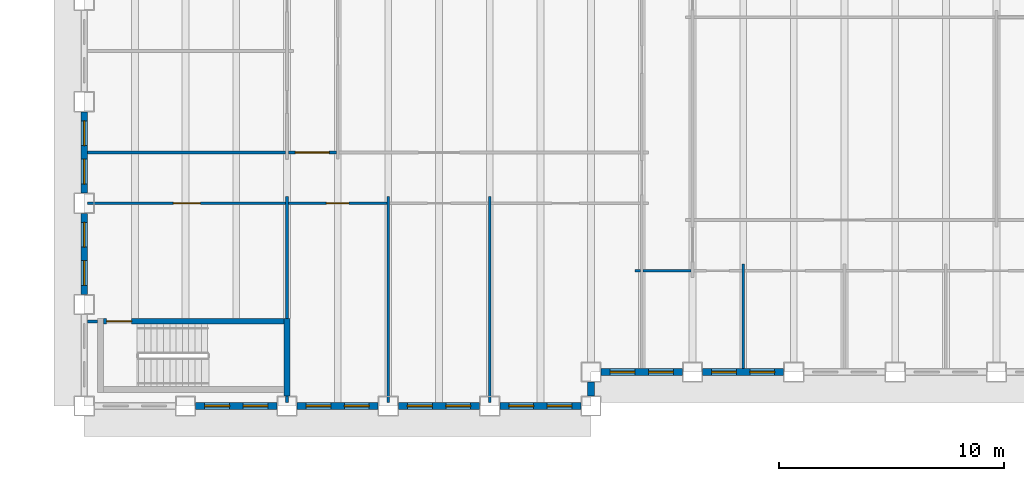
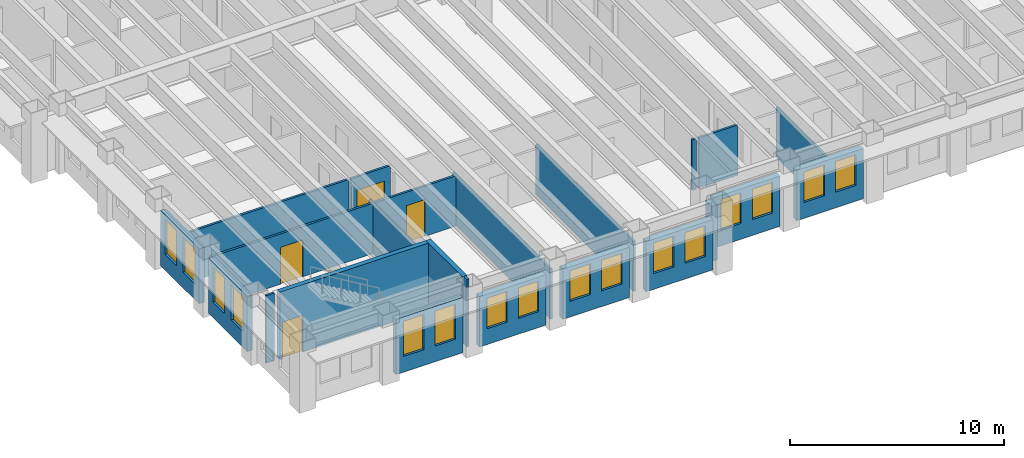
# One storey, part 3 of 16: 23 walls, 16 windows, 4 doors, 20 openings.
"""IFC4 building model written with IfcOpenShell, lengths in metres."""

from ifc_helpers import new_model, si_unit, direction, frame, frame_2d, origin, place, context, subcontext, project, spatial, rectangle, extrude, material, layer, layer_set, type_object, element, fill, save


model = new_model("IFC4")

# Units and contexts
model_context = context("Model", 3, precision=1e-05, world=origin(), true_north=direction((0.0, 1.0)))
body_context = subcontext(model_context, "Body", "Model", "MODEL_VIEW")
ifc_project = project(units=[si_unit("LENGTHUNIT", "METRE"), si_unit("AREAUNIT", "SQUARE_METRE"), si_unit("VOLUMEUNIT", "CUBIC_METRE"), si_unit("PLANEANGLEUNIT", "RADIAN"), si_unit("MASSUNIT", "GRAM", prefix="KILO")], contexts=[model_context])

# Site, building, storey
site_placement = place(None, origin())
site = spatial("IfcSite", under=ifc_project, at=site_placement, CompositionType="ELEMENT")
building_placement = place(site_placement, origin())
building = spatial("IfcBuilding", under=site, at=building_placement, Name="Sennacour Bend Tower", CompositionType="ELEMENT")
storey_placement = place(building_placement, frame((0.0, 0.0, 159.0)))
storey = spatial("IfcBuildingStorey", under=building, at=storey_placement, Name="L36", CompositionType="ELEMENT", Elevation=159.0)

# Walls
ifc_material_1 = material(Name="Plasterboard partition on steel studs", Category="steel")
ifc_layer_1 = layer(ifc_material_1, 0.1201171875, Name="Plasterboard partition on steel studs", Category="steel")
ifc_layer_set_1 = layer_set([ifc_layer_1], Name="Plasterboard partition on steel studs")
wall_type_1 = type_object("IfcWallType", Name="Partition 120", PredefinedType="PARTITIONING", material=ifc_layer_set_1)
wall_1_placement = place(storey_placement, frame((9.0, 0.14990234375, 0.0), z_axis=(0.0, 0.0, 1.0), x_axis=(0.0, 1.0, 0.0)))
element("IfcWall", 1, at=wall_1_placement, inside=storey, type_object=wall_type_1, Name="P-L36-W009a", PredefinedType="PARTITIONING", context=body_context, shape_type="SweptSolid", body=[
    extrude(rectangle(XDim=0.300048828125, YDim=0.1201171875, at=frame_2d((0.14990234375, 0.0))), origin(), (0.0, 0.0, 1.0), 3.85009765625),
])
wall_2_placement = place(storey_placement, frame((9.0, 3.875, 0.0), z_axis=(0.0, 0.0, 1.0), x_axis=(0.0, 1.0, 0.0)))
element("IfcWall", 2, at=wall_2_placement, inside=storey, type_object=wall_type_1, Name="P-L36-W011a", PredefinedType="PARTITIONING", context=body_context, shape_type="SweptSolid", body=[
    extrude(rectangle(XDim=5.425048828125, YDim=0.1201171875, at=frame_2d((2.71240234375, 0.0))), origin(), (0.0, 0.0, 1.0), 2.8701171875),
])
for number, where, z_axis, x_axis, name in (
    (3, (13.5, 0.14990234375, 0.0), (0.0, 0.0, 1.0), (0.0, 1.0, 0.0), "P-L36-W016a"),
    (4, (18.0, 0.14990234375, 0.0), (0.0, 0.0, 1.0), (0.0, 1.0, 0.0), "P-L36-W019a"),
):
    element("IfcWall", number, at=place(storey_placement, frame(where, z_axis=z_axis, x_axis=x_axis)), inside=storey, type_object=wall_type_1, Name=name, PredefinedType="PARTITIONING", context=body_context, shape_type="SweptSolid", body=[
        extrude(rectangle(XDim=9.150146484375, YDim=0.1201171875, at=frame_2d((4.5751953125, 0.0))), origin(), (0.0, 0.0, 1.0), 2.8701171875),
    ])
wall_3_placement = place(storey_placement, frame((29.25, 1.64990234375, 0.0), z_axis=(0.0, 0.0, 1.0), x_axis=(0.0, 1.0, 0.0)))
element("IfcWall", 5, at=wall_3_placement, inside=storey, type_object=wall_type_1, Name="P-L36-W026a", PredefinedType="PARTITIONING", context=body_context, shape_type="SweptSolid", body=[
    extrude(rectangle(XDim=4.650146484375, YDim=0.1201171875, at=frame_2d((2.3251953125, 0.0))), origin(), (0.0, 0.0, 1.0), 2.8701171875),
])
wall_4_placement = place(storey_placement, frame((0.14990234375, 3.75, 0.0), z_axis=(0.0, 0.0, 1.0), x_axis=(1.0, 0.0, 0.0)))
element("IfcWall", 6, at=wall_4_placement, inside=storey, type_object=wall_type_1, Name="P-L36-W054a", PredefinedType="PARTITIONING", context=body_context, shape_type="SweptSolid", body=[
    extrude(rectangle(XDim=0.4501953125, YDim=0.1201171875, at=frame_2d((0.22509765625, 0.0))), origin(), (0.0, 0.0, 1.0), 3.85009765625),
])
wall_5_placement = place(storey_placement, frame((24.449951171875, 6.0, 0.0), z_axis=(0.0, 0.0, 1.0), x_axis=(1.0, 0.0, 0.0)))
element("IfcWall", 7, at=wall_5_placement, inside=storey, type_object=wall_type_1, Name="P-L36-W058aa", PredefinedType="PARTITIONING", context=body_context, shape_type="SweptSolid", body=[
    extrude(rectangle(XDim=0.239990234375, YDim=0.1201171875, at=frame_2d((0.1201171875, 0.0))), origin(), (0.0, 0.0, 1.0), 2.8701171875),
])
wall_6_placement = place(storey_placement, frame((24.81005859375, 6.0, 0.0), z_axis=(0.0, 0.0, 1.0), x_axis=(1.0, 0.0, 0.0)))
element("IfcWall", 8, at=wall_6_placement, inside=storey, type_object=wall_type_1, Name="P-L36-W058ab", PredefinedType="PARTITIONING", context=body_context, shape_type="SweptSolid", body=[
    extrude(rectangle(XDim=2.1298828125, YDim=0.1201171875, at=frame_2d((1.06494140625, 0.0))), origin(), (0.0, 0.0, 1.0), 2.8701171875),
])

# Wall, opening, door
wall_7_placement = place(storey_placement, frame((9.06005859375, 9.0, 0.0), z_axis=(0.0, 0.0, 1.0), x_axis=(1.0, 0.0, 0.0)))
wall_7 = element("IfcWall", 9, at=wall_7_placement, inside=storey, type_object=wall_type_1, Name="P-L36-W061ab", PredefinedType="PARTITIONING", context=body_context, shape_type="SweptSolid", body=[
    extrude(rectangle(XDim=4.3798828125, YDim=0.1201171875, at=frame_2d((2.18994140625, 0.0))), origin(), (0.0, 0.0, 1.0), 2.8701171875),
])
opening_1_placement = place(wall_7_placement, frame((1.68994140625, 0.0, 0.0)))
opening_1 = element("IfcOpeningElement", 10, at=opening_1_placement, cuts=wall_7, Name="Opening OD2", PredefinedType="OPENING", context=body_context, shape_type="SweptSolid", body=[
    extrude(rectangle(XDim=1.0, YDim=2.10009765625, at=frame_2d((0.5, 1.050048828125))), frame((0.0, 0.070068359375, 0.0), z_axis=(0.0, -1.0, 0.0), x_axis=(1.0, 0.0, 0.0)), (0.0, 0.0, 1.0), 0.14013671875),
])
ifc_material_2 = material(Name="Timber", Category="wood")
door_type_1 = type_object("IfcDoorType", Name="DR-OFFICE-1000", OperationType="NOTDEFINED", PredefinedType="DOOR", material=ifc_material_2)
door_1_placement = place(opening_1_placement, origin())
door_1 = element("IfcDoor", 11, at=door_1_placement, inside=storey, type_object=door_type_1, Name="Door", OperationType="SINGLE_SWING_LEFT", OverallHeight=2.10009765625, OverallWidth=1.0, PredefinedType="DOOR", context=body_context, shape_type="SweptSolid", body=[
    extrude(rectangle(XDim=1.0, YDim=2.10009765625, at=frame_2d((0.5, 1.050048828125))), frame((0.0, 0.02490234375, 0.0), z_axis=(0.0, -1.0, 0.0), x_axis=(1.0, 0.0, 0.0)), (0.0, 0.0, 1.0), 0.050048828125),
])
fill(opening_1, door_1)

# Wall
wall_8_placement = place(storey_placement, frame((0.14990234375, 11.25, 0.0), z_axis=(0.0, 0.0, 1.0), x_axis=(1.0, 0.0, 0.0)))
element("IfcWall", 12, at=wall_8_placement, inside=storey, type_object=wall_type_1, Name="P-L36-W063aa", PredefinedType="PARTITIONING", context=body_context, shape_type="SweptSolid", body=[
    extrude(rectangle(XDim=8.7900390625, YDim=0.1201171875, at=frame_2d((4.39501953125, 0.0))), origin(), (0.0, 0.0, 1.0), 2.8701171875),
])

# Wall, opening, door
ifc_layer_2 = layer(ifc_material_1, 0.1201171875, Name="Plasterboard partition on steel studs", Category="steel")
ifc_layer_set_2 = layer_set([ifc_layer_2], Name="Plasterboard partition on steel studs")
wall_type_2 = type_object("IfcWallType", Name="Partition 120 EI 30", PredefinedType="PARTITIONING", material=ifc_layer_set_2)
wall_9_placement = place(storey_placement, frame((0.14990234375, 9.0, 0.0), z_axis=(0.0, 0.0, 1.0), x_axis=(1.0, 0.0, 0.0)))
wall_9 = element("IfcWall", 13, at=wall_9_placement, inside=storey, type_object=wall_type_2, Name="P-L36-W061aa", PredefinedType="PARTITIONING", context=body_context, shape_type="SweptSolid", body=[
    extrude(rectangle(XDim=8.7900390625, YDim=0.1201171875, at=frame_2d((4.39501953125, 0.0))), origin(), (0.0, 0.0, 1.0), 2.8701171875),
])
opening_2_placement = place(wall_9_placement, frame((3.80517578125, 0.0, 0.0)))
opening_2 = element("IfcOpeningElement", 14, at=opening_2_placement, cuts=wall_9, Name="Opening KD2", PredefinedType="OPENING", context=body_context, shape_type="SweptSolid", body=[
    extrude(rectangle(XDim=1.199951171875, YDim=2.10009765625, at=frame_2d((0.60009765625, 1.050048828125))), frame((0.0, 0.070068359375, 0.0), z_axis=(0.0, -1.0, 0.0), x_axis=(1.0, 0.0, 0.0)), (0.0, 0.0, 1.0), 0.14013671875),
])
ifc_material_3 = material(Name="Painted steel", Category="steel")
door_type_2 = type_object("IfcDoorType", Name="DR-CORRIDOR-1200", OperationType="NOTDEFINED", PredefinedType="DOOR", material=ifc_material_3)
door_2_placement = place(opening_2_placement, origin())
door_2 = element("IfcDoor", 15, at=door_2_placement, inside=storey, type_object=door_type_2, Name="Door", OperationType="SINGLE_SWING_LEFT", OverallHeight=2.10009765625, OverallWidth=1.199951171875, PredefinedType="DOOR", context=body_context, shape_type="SweptSolid", body=[
    extrude(rectangle(XDim=1.199951171875, YDim=2.10009765625, at=frame_2d((0.60009765625, 1.050048828125))), frame((0.0, 0.02490234375, 0.0), z_axis=(0.0, -1.0, 0.0), x_axis=(1.0, 0.0, 0.0)), (0.0, 0.0, 1.0), 0.050048828125),
])
fill(opening_2, door_2)

wall_10_placement = place(storey_placement, frame((9.06005859375, 11.25, 0.0), z_axis=(0.0, 0.0, 1.0), x_axis=(1.0, 0.0, 0.0)))
wall_10 = element("IfcWall", 16, at=wall_10_placement, inside=storey, type_object=wall_type_2, Name="P-L36-W063ab", PredefinedType="PARTITIONING", context=body_context, shape_type="SweptSolid", body=[
    extrude(rectangle(XDim=2.1298828125, YDim=0.1201171875, at=frame_2d((1.06494140625, 0.0))), origin(), (0.0, 0.0, 1.0), 2.8701171875),
])
opening_3_placement = place(wall_10_placement, frame((0.31494140625, 0.0, 0.0)))
opening_3 = element("IfcOpeningElement", 17, at=opening_3_placement, cuts=wall_10, Name="Opening KD", PredefinedType="OPENING", context=body_context, shape_type="SweptSolid", body=[
    extrude(rectangle(XDim=1.5, YDim=2.10009765625, at=frame_2d((0.75, 1.050048828125))), frame((0.0, 0.070068359375, 0.0), z_axis=(0.0, -1.0, 0.0), x_axis=(1.0, 0.0, 0.0)), (0.0, 0.0, 1.0), 0.14013671875),
])
door_type_3 = type_object("IfcDoorType", Name="DR-CORRIDOR-1500", OperationType="NOTDEFINED", PredefinedType="DOOR", material=ifc_material_3)
door_3_placement = place(opening_3_placement, origin())
door_3 = element("IfcDoor", 18, at=door_3_placement, inside=storey, type_object=door_type_3, Name="Door", OperationType="SINGLE_SWING_LEFT", OverallHeight=2.10009765625, OverallWidth=1.5, PredefinedType="DOOR", context=body_context, shape_type="SweptSolid", body=[
    extrude(rectangle(XDim=1.5, YDim=2.10009765625, at=frame_2d((0.75, 1.050048828125))), frame((0.0, 0.02490234375, 0.0), z_axis=(0.0, -1.0, 0.0), x_axis=(1.0, 0.0, 0.0)), (0.0, 0.0, 1.0), 0.050048828125),
])
fill(opening_3, door_3)

# Wall, openings, windows
ifc_material_4 = material(Name="Warm limestone cladding", Category="masonry")
ifc_layer_3 = layer(ifc_material_4, 0.050048828125, Name="Warm limestone cladding", Category="masonry")
ifc_material_5 = material(Name="Precast concrete C40/50", Category="concrete")
ifc_layer_4 = layer(ifc_material_5, 0.25, Name="Precast concrete C40/50", Category="concrete")
ifc_layer_set_3 = layer_set([ifc_layer_3, ifc_layer_4], Name="Precast concrete C40/50 with limestone cladding")
wall_type_3 = type_object("IfcWallType", Name="STONE-CLAD PRECAST SPANDREL 300", PredefinedType="STANDARD", material=ifc_layer_set_3)
wall_11_placement = place(storey_placement, frame((4.949951171875, 0.0, 0.0), z_axis=(0.0, 0.0, 1.0), x_axis=(1.0, 0.0, 0.0)))
wall_11 = element("IfcWall", 19, at=wall_11_placement, inside=storey, type_object=wall_type_3, Name="Stone spandrel and pier wall L36 00.01", PredefinedType="STANDARD", context=body_context, shape_type="SweptSolid", body=[
    extrude(rectangle(XDim=3.60009765625, YDim=0.300048828125, at=frame_2d((1.800048828125, 0.0))), origin(), (0.0, 0.0, 1.0), 3.14892578125),
])
opening_4_placement = place(wall_11_placement, frame((0.39990234375, 0.0, 0.89990234375)))
opening_4 = element("IfcOpeningElement", 20, at=opening_4_placement, cuts=wall_11, Name="Opening W19", PredefinedType="OPENING", context=body_context, shape_type="SweptSolid", body=[
    extrude(rectangle(XDim=1.10009765625, YDim=2.0, at=frame_2d((0.550048828125, 1.0))), frame((0.0, 0.16015625, 0.0), z_axis=(0.0, -1.0, 0.0), x_axis=(1.0, 0.0, 0.0)), (0.0, 0.0, 1.0), 0.320068359375),
])
opening_5_placement = place(wall_11_placement, frame((2.10009765625, 0.0, 0.89990234375)))
opening_5 = element("IfcOpeningElement", 21, at=opening_5_placement, cuts=wall_11, Name="Opening W19", PredefinedType="OPENING", context=body_context, shape_type="SweptSolid", body=[
    extrude(rectangle(XDim=1.10009765625, YDim=2.0, at=frame_2d((0.550048828125, 1.0))), frame((0.0, 0.16015625, 0.0), z_axis=(0.0, -1.0, 0.0), x_axis=(1.0, 0.0, 0.0)), (0.0, 0.0, 1.0), 0.320068359375),
])
ifc_material_6 = material(Name="Clear low-emissivity glass", Category="glass")
window_type_1 = type_object("IfcWindowType", Name="WIN-RIBBON-1100x2000", PartitioningType="SINGLE_PANEL", PredefinedType="WINDOW", material=ifc_material_6)
window_1_placement = place(opening_4_placement, origin())
window_1 = element("IfcWindow", 22, at=window_1_placement, inside=storey, type_object=window_type_1, Name="Ribbon window L36 00.01.0", OverallHeight=2.0, OverallWidth=1.10009765625, PartitioningType="SINGLE_PANEL", PredefinedType="WINDOW", context=body_context, shape_type="SweptSolid", body=[
    extrude(rectangle(XDim=1.10009765625, YDim=2.0, at=frame_2d((0.550048828125, 1.0))), frame((0.0, 0.030029296875, 0.0), z_axis=(0.0, -1.0, 0.0), x_axis=(1.0, 0.0, 0.0)), (0.0, 0.0, 1.0), 0.06005859375),
])
fill(opening_4, window_1)
window_2_placement = place(opening_5_placement, origin())
window_2 = element("IfcWindow", 23, at=window_2_placement, inside=storey, type_object=window_type_1, Name="Ribbon window L36 00.01.1", OverallHeight=2.0, OverallWidth=1.10009765625, PartitioningType="SINGLE_PANEL", PredefinedType="WINDOW", context=body_context, shape_type="SweptSolid", body=[
    extrude(rectangle(XDim=1.10009765625, YDim=2.0, at=frame_2d((0.550048828125, 1.0))), frame((0.0, 0.030029296875, 0.0), z_axis=(0.0, -1.0, 0.0), x_axis=(1.0, 0.0, 0.0)), (0.0, 0.0, 1.0), 0.06005859375),
])
fill(opening_5, window_2)

wall_12_placement = place(storey_placement, frame((9.449951171875, 0.0, 0.0), z_axis=(0.0, 0.0, 1.0), x_axis=(1.0, 0.0, 0.0)))
wall_12 = element("IfcWall", 24, at=wall_12_placement, inside=storey, type_object=wall_type_3, Name="Stone spandrel and pier wall L36 00.02", PredefinedType="STANDARD", context=body_context, shape_type="SweptSolid", body=[
    extrude(rectangle(XDim=3.60009765625, YDim=0.300048828125, at=frame_2d((1.800048828125, 0.0))), origin(), (0.0, 0.0, 1.0), 2.8701171875),
])
opening_6_placement = place(wall_12_placement, frame((0.39990234375, 0.0, 0.89990234375)))
opening_6 = element("IfcOpeningElement", 25, at=opening_6_placement, cuts=wall_12, Name="Opening W17", PredefinedType="OPENING", context=body_context, shape_type="SweptSolid", body=[
    extrude(rectangle(XDim=1.10009765625, YDim=1.75, at=frame_2d((0.550048828125, 0.875))), frame((0.0, 0.16015625, 0.0), z_axis=(0.0, -1.0, 0.0), x_axis=(1.0, 0.0, 0.0)), (0.0, 0.0, 1.0), 0.320068359375),
])
opening_7_placement = place(wall_12_placement, frame((2.10009765625, 0.0, 0.89990234375)))
opening_7 = element("IfcOpeningElement", 26, at=opening_7_placement, cuts=wall_12, Name="Opening W17", PredefinedType="OPENING", context=body_context, shape_type="SweptSolid", body=[
    extrude(rectangle(XDim=1.10009765625, YDim=1.75, at=frame_2d((0.550048828125, 0.875))), frame((0.0, 0.16015625, 0.0), z_axis=(0.0, -1.0, 0.0), x_axis=(1.0, 0.0, 0.0)), (0.0, 0.0, 1.0), 0.320068359375),
])
window_type_2 = type_object("IfcWindowType", Name="WIN-RIBBON-1100x1750", PartitioningType="SINGLE_PANEL", PredefinedType="WINDOW", material=ifc_material_6)
window_3_placement = place(opening_6_placement, origin())
window_3 = element("IfcWindow", 27, at=window_3_placement, inside=storey, type_object=window_type_2, Name="Ribbon window L36 00.02.0", OverallHeight=1.75, OverallWidth=1.10009765625, PartitioningType="SINGLE_PANEL", PredefinedType="WINDOW", context=body_context, shape_type="SweptSolid", body=[
    extrude(rectangle(XDim=1.10009765625, YDim=1.75, at=frame_2d((0.550048828125, 0.875))), frame((0.0, 0.030029296875, 0.0), z_axis=(0.0, -1.0, 0.0), x_axis=(1.0, 0.0, 0.0)), (0.0, 0.0, 1.0), 0.06005859375),
])
fill(opening_6, window_3)
window_4_placement = place(opening_7_placement, origin())
window_4 = element("IfcWindow", 28, at=window_4_placement, inside=storey, type_object=window_type_2, Name="Ribbon window L36 00.02.1", OverallHeight=1.75, OverallWidth=1.10009765625, PartitioningType="SINGLE_PANEL", PredefinedType="WINDOW", context=body_context, shape_type="SweptSolid", body=[
    extrude(rectangle(XDim=1.10009765625, YDim=1.75, at=frame_2d((0.550048828125, 0.875))), frame((0.0, 0.030029296875, 0.0), z_axis=(0.0, -1.0, 0.0), x_axis=(1.0, 0.0, 0.0)), (0.0, 0.0, 1.0), 0.06005859375),
])
fill(opening_7, window_4)

wall_13_placement = place(storey_placement, frame((13.949951171875, 0.0, 0.0), z_axis=(0.0, 0.0, 1.0), x_axis=(1.0, 0.0, 0.0)))
wall_13 = element("IfcWall", 29, at=wall_13_placement, inside=storey, type_object=wall_type_3, Name="Stone spandrel and pier wall L36 00.03", PredefinedType="STANDARD", context=body_context, shape_type="SweptSolid", body=[
    extrude(rectangle(XDim=3.60009765625, YDim=0.300048828125, at=frame_2d((1.800048828125, 0.0))), origin(), (0.0, 0.0, 1.0), 2.8701171875),
])
opening_8_placement = place(wall_13_placement, frame((0.39990234375, 0.0, 0.89990234375)))
opening_8 = element("IfcOpeningElement", 30, at=opening_8_placement, cuts=wall_13, Name="Opening W17", PredefinedType="OPENING", context=body_context, shape_type="SweptSolid", body=[
    extrude(rectangle(XDim=1.10009765625, YDim=1.75, at=frame_2d((0.550048828125, 0.875))), frame((0.0, 0.16015625, 0.0), z_axis=(0.0, -1.0, 0.0), x_axis=(1.0, 0.0, 0.0)), (0.0, 0.0, 1.0), 0.320068359375),
])
opening_9_placement = place(wall_13_placement, frame((2.10009765625, 0.0, 0.89990234375)))
opening_9 = element("IfcOpeningElement", 31, at=opening_9_placement, cuts=wall_13, Name="Opening W17", PredefinedType="OPENING", context=body_context, shape_type="SweptSolid", body=[
    extrude(rectangle(XDim=1.10009765625, YDim=1.75, at=frame_2d((0.550048828125, 0.875))), frame((0.0, 0.16015625, 0.0), z_axis=(0.0, -1.0, 0.0), x_axis=(1.0, 0.0, 0.0)), (0.0, 0.0, 1.0), 0.320068359375),
])
window_5_placement = place(opening_8_placement, origin())
window_5 = element("IfcWindow", 32, at=window_5_placement, inside=storey, type_object=window_type_2, Name="Ribbon window L36 00.03.0", OverallHeight=1.75, OverallWidth=1.10009765625, PartitioningType="SINGLE_PANEL", PredefinedType="WINDOW", context=body_context, shape_type="SweptSolid", body=[
    extrude(rectangle(XDim=1.10009765625, YDim=1.75, at=frame_2d((0.550048828125, 0.875))), frame((0.0, 0.030029296875, 0.0), z_axis=(0.0, -1.0, 0.0), x_axis=(1.0, 0.0, 0.0)), (0.0, 0.0, 1.0), 0.06005859375),
])
fill(opening_8, window_5)
window_6_placement = place(opening_9_placement, origin())
window_6 = element("IfcWindow", 33, at=window_6_placement, inside=storey, type_object=window_type_2, Name="Ribbon window L36 00.03.1", OverallHeight=1.75, OverallWidth=1.10009765625, PartitioningType="SINGLE_PANEL", PredefinedType="WINDOW", context=body_context, shape_type="SweptSolid", body=[
    extrude(rectangle(XDim=1.10009765625, YDim=1.75, at=frame_2d((0.550048828125, 0.875))), frame((0.0, 0.030029296875, 0.0), z_axis=(0.0, -1.0, 0.0), x_axis=(1.0, 0.0, 0.0)), (0.0, 0.0, 1.0), 0.06005859375),
])
fill(opening_9, window_6)

wall_14_placement = place(storey_placement, frame((18.449951171875, 0.0, 0.0), z_axis=(0.0, 0.0, 1.0), x_axis=(1.0, 0.0, 0.0)))
wall_14 = element("IfcWall", 34, at=wall_14_placement, inside=storey, type_object=wall_type_3, Name="Stone spandrel and pier wall L36 00.04", PredefinedType="STANDARD", context=body_context, shape_type="SweptSolid", body=[
    extrude(rectangle(XDim=3.60009765625, YDim=0.300048828125, at=frame_2d((1.800048828125, 0.0))), origin(), (0.0, 0.0, 1.0), 2.8701171875),
])
opening_10_placement = place(wall_14_placement, frame((0.39990234375, 0.0, 0.89990234375)))
opening_10 = element("IfcOpeningElement", 35, at=opening_10_placement, cuts=wall_14, Name="Opening W17", PredefinedType="OPENING", context=body_context, shape_type="SweptSolid", body=[
    extrude(rectangle(XDim=1.10009765625, YDim=1.75, at=frame_2d((0.550048828125, 0.875))), frame((0.0, 0.16015625, 0.0), z_axis=(0.0, -1.0, 0.0), x_axis=(1.0, 0.0, 0.0)), (0.0, 0.0, 1.0), 0.320068359375),
])
opening_11_placement = place(wall_14_placement, frame((2.10009765625, 0.0, 0.89990234375)))
opening_11 = element("IfcOpeningElement", 36, at=opening_11_placement, cuts=wall_14, Name="Opening W17", PredefinedType="OPENING", context=body_context, shape_type="SweptSolid", body=[
    extrude(rectangle(XDim=1.10009765625, YDim=1.75, at=frame_2d((0.550048828125, 0.875))), frame((0.0, 0.16015625, 0.0), z_axis=(0.0, -1.0, 0.0), x_axis=(1.0, 0.0, 0.0)), (0.0, 0.0, 1.0), 0.320068359375),
])
window_7_placement = place(opening_10_placement, origin())
window_7 = element("IfcWindow", 37, at=window_7_placement, inside=storey, type_object=window_type_2, Name="Ribbon window L36 00.04.0", OverallHeight=1.75, OverallWidth=1.10009765625, PartitioningType="SINGLE_PANEL", PredefinedType="WINDOW", context=body_context, shape_type="SweptSolid", body=[
    extrude(rectangle(XDim=1.10009765625, YDim=1.75, at=frame_2d((0.550048828125, 0.875))), frame((0.0, 0.030029296875, 0.0), z_axis=(0.0, -1.0, 0.0), x_axis=(1.0, 0.0, 0.0)), (0.0, 0.0, 1.0), 0.06005859375),
])
fill(opening_10, window_7)
window_8_placement = place(opening_11_placement, origin())
window_8 = element("IfcWindow", 38, at=window_8_placement, inside=storey, type_object=window_type_2, Name="Ribbon window L36 00.04.1", OverallHeight=1.75, OverallWidth=1.10009765625, PartitioningType="SINGLE_PANEL", PredefinedType="WINDOW", context=body_context, shape_type="SweptSolid", body=[
    extrude(rectangle(XDim=1.10009765625, YDim=1.75, at=frame_2d((0.550048828125, 0.875))), frame((0.0, 0.030029296875, 0.0), z_axis=(0.0, -1.0, 0.0), x_axis=(1.0, 0.0, 0.0)), (0.0, 0.0, 1.0), 0.06005859375),
])
fill(opening_11, window_8)

# Wall
wall_15_placement = place(storey_placement, frame((22.5, 0.449951171875, 0.0), z_axis=(0.0, 0.0, 1.0), x_axis=(0.0, 1.0, 0.0)))
element("IfcWall", 39, at=wall_15_placement, inside=storey, type_object=wall_type_3, Name="Stone spandrel and pier wall L36 01.00", PredefinedType="STANDARD", context=body_context, shape_type="SweptSolid", body=[
    extrude(rectangle(XDim=0.60009765625, YDim=0.300048828125, at=frame_2d((0.300048828125, 0.0))), origin(), (0.0, 0.0, 1.0), 3.14892578125),
])

# Wall, openings, windows
wall_16_placement = place(storey_placement, frame((22.949951171875, 1.5, 0.0), z_axis=(0.0, 0.0, 1.0), x_axis=(1.0, 0.0, 0.0)))
wall_16 = element("IfcWall", 40, at=wall_16_placement, inside=storey, type_object=wall_type_3, Name="Stone spandrel and pier wall L36 02.00", PredefinedType="STANDARD", context=body_context, shape_type="SweptSolid", body=[
    extrude(rectangle(XDim=3.60009765625, YDim=0.300048828125, at=frame_2d((1.800048828125, 0.0))), origin(), (0.0, 0.0, 1.0), 2.8701171875),
])
opening_12_placement = place(wall_16_placement, frame((0.39990234375, 0.0, 0.89990234375)))
opening_12 = element("IfcOpeningElement", 41, at=opening_12_placement, cuts=wall_16, Name="Opening W17", PredefinedType="OPENING", context=body_context, shape_type="SweptSolid", body=[
    extrude(rectangle(XDim=1.10009765625, YDim=1.75, at=frame_2d((0.550048828125, 0.875))), frame((0.0, 0.16015625, 0.0), z_axis=(0.0, -1.0, 0.0), x_axis=(1.0, 0.0, 0.0)), (0.0, 0.0, 1.0), 0.320068359375),
])
opening_13_placement = place(wall_16_placement, frame((2.10009765625, 0.0, 0.89990234375)))
opening_13 = element("IfcOpeningElement", 42, at=opening_13_placement, cuts=wall_16, Name="Opening W17", PredefinedType="OPENING", context=body_context, shape_type="SweptSolid", body=[
    extrude(rectangle(XDim=1.10009765625, YDim=1.75, at=frame_2d((0.550048828125, 0.875))), frame((0.0, 0.16015625, 0.0), z_axis=(0.0, -1.0, 0.0), x_axis=(1.0, 0.0, 0.0)), (0.0, 0.0, 1.0), 0.320068359375),
])
window_9_placement = place(opening_12_placement, origin())
window_9 = element("IfcWindow", 43, at=window_9_placement, inside=storey, type_object=window_type_2, Name="Ribbon window L36 02.00.0", OverallHeight=1.75, OverallWidth=1.10009765625, PartitioningType="SINGLE_PANEL", PredefinedType="WINDOW", context=body_context, shape_type="SweptSolid", body=[
    extrude(rectangle(XDim=1.10009765625, YDim=1.75, at=frame_2d((0.550048828125, 0.875))), frame((0.0, 0.030029296875, 0.0), z_axis=(0.0, -1.0, 0.0), x_axis=(1.0, 0.0, 0.0)), (0.0, 0.0, 1.0), 0.06005859375),
])
fill(opening_12, window_9)
window_10_placement = place(opening_13_placement, origin())
window_10 = element("IfcWindow", 44, at=window_10_placement, inside=storey, type_object=window_type_2, Name="Ribbon window L36 02.00.1", OverallHeight=1.75, OverallWidth=1.10009765625, PartitioningType="SINGLE_PANEL", PredefinedType="WINDOW", context=body_context, shape_type="SweptSolid", body=[
    extrude(rectangle(XDim=1.10009765625, YDim=1.75, at=frame_2d((0.550048828125, 0.875))), frame((0.0, 0.030029296875, 0.0), z_axis=(0.0, -1.0, 0.0), x_axis=(1.0, 0.0, 0.0)), (0.0, 0.0, 1.0), 0.06005859375),
])
fill(opening_13, window_10)

wall_17_placement = place(storey_placement, frame((27.449951171875, 1.5, 0.0), z_axis=(0.0, 0.0, 1.0), x_axis=(1.0, 0.0, 0.0)))
wall_17 = element("IfcWall", 45, at=wall_17_placement, inside=storey, type_object=wall_type_3, Name="Stone spandrel and pier wall L36 02.01", PredefinedType="STANDARD", context=body_context, shape_type="SweptSolid", body=[
    extrude(rectangle(XDim=3.60009765625, YDim=0.300048828125, at=frame_2d((1.800048828125, 0.0))), origin(), (0.0, 0.0, 1.0), 2.8701171875),
])
opening_14_placement = place(wall_17_placement, frame((0.39990234375, 0.0, 0.89990234375)))
opening_14 = element("IfcOpeningElement", 46, at=opening_14_placement, cuts=wall_17, Name="Opening W17", PredefinedType="OPENING", context=body_context, shape_type="SweptSolid", body=[
    extrude(rectangle(XDim=1.10009765625, YDim=1.75, at=frame_2d((0.550048828125, 0.875))), frame((0.0, 0.16015625, 0.0), z_axis=(0.0, -1.0, 0.0), x_axis=(1.0, 0.0, 0.0)), (0.0, 0.0, 1.0), 0.320068359375),
])
opening_15_placement = place(wall_17_placement, frame((2.10009765625, 0.0, 0.89990234375)))
opening_15 = element("IfcOpeningElement", 47, at=opening_15_placement, cuts=wall_17, Name="Opening W17", PredefinedType="OPENING", context=body_context, shape_type="SweptSolid", body=[
    extrude(rectangle(XDim=1.10009765625, YDim=1.75, at=frame_2d((0.550048828125, 0.875))), frame((0.0, 0.16015625, 0.0), z_axis=(0.0, -1.0, 0.0), x_axis=(1.0, 0.0, 0.0)), (0.0, 0.0, 1.0), 0.320068359375),
])
window_11_placement = place(opening_14_placement, origin())
window_11 = element("IfcWindow", 48, at=window_11_placement, inside=storey, type_object=window_type_2, Name="Ribbon window L36 02.01.0", OverallHeight=1.75, OverallWidth=1.10009765625, PartitioningType="SINGLE_PANEL", PredefinedType="WINDOW", context=body_context, shape_type="SweptSolid", body=[
    extrude(rectangle(XDim=1.10009765625, YDim=1.75, at=frame_2d((0.550048828125, 0.875))), frame((0.0, 0.030029296875, 0.0), z_axis=(0.0, -1.0, 0.0), x_axis=(1.0, 0.0, 0.0)), (0.0, 0.0, 1.0), 0.06005859375),
])
fill(opening_14, window_11)
window_12_placement = place(opening_15_placement, origin())
window_12 = element("IfcWindow", 49, at=window_12_placement, inside=storey, type_object=window_type_2, Name="Ribbon window L36 02.01.1", OverallHeight=1.75, OverallWidth=1.10009765625, PartitioningType="SINGLE_PANEL", PredefinedType="WINDOW", context=body_context, shape_type="SweptSolid", body=[
    extrude(rectangle(XDim=1.10009765625, YDim=1.75, at=frame_2d((0.550048828125, 0.875))), frame((0.0, 0.030029296875, 0.0), z_axis=(0.0, -1.0, 0.0), x_axis=(1.0, 0.0, 0.0)), (0.0, 0.0, 1.0), 0.06005859375),
])
fill(opening_15, window_12)

wall_18_placement = place(storey_placement, frame((0.0, 13.050048828125, 0.0), z_axis=(0.0, 0.0, 1.0), x_axis=(0.0, -1.0, 0.0)))
wall_18 = element("IfcWall", 50, at=wall_18_placement, inside=storey, type_object=wall_type_3, Name="Stone spandrel and pier wall L36 23.02", PredefinedType="STANDARD", context=body_context, shape_type="SweptSolid", body=[
    extrude(rectangle(XDim=3.60009765625, YDim=0.300048828125, at=frame_2d((1.800048828125, 0.0))), origin(), (0.0, 0.0, 1.0), 3.14892578125),
])
opening_16_placement = place(wall_18_placement, frame((0.39990234375, 0.0, 0.89990234375)))
opening_16 = element("IfcOpeningElement", 51, at=opening_16_placement, cuts=wall_18, Name="Opening W19", PredefinedType="OPENING", context=body_context, shape_type="SweptSolid", body=[
    extrude(rectangle(XDim=1.10009765625, YDim=2.0, at=frame_2d((0.550048828125, 1.0))), frame((0.0, 0.16015625, 0.0), z_axis=(0.0, -1.0, 0.0), x_axis=(1.0, 0.0, 0.0)), (0.0, 0.0, 1.0), 0.320068359375),
])
opening_17_placement = place(wall_18_placement, frame((2.10009765625, 0.0, 0.89990234375)))
opening_17 = element("IfcOpeningElement", 52, at=opening_17_placement, cuts=wall_18, Name="Opening W19", PredefinedType="OPENING", context=body_context, shape_type="SweptSolid", body=[
    extrude(rectangle(XDim=1.10009765625, YDim=2.0, at=frame_2d((0.550048828125, 1.0))), frame((0.0, 0.16015625, 0.0), z_axis=(0.0, -1.0, 0.0), x_axis=(1.0, 0.0, 0.0)), (0.0, 0.0, 1.0), 0.320068359375),
])
window_13_placement = place(opening_16_placement, origin())
window_13 = element("IfcWindow", 53, at=window_13_placement, inside=storey, type_object=window_type_1, Name="Ribbon window L36 23.02.0", OverallHeight=2.0, OverallWidth=1.10009765625, PartitioningType="SINGLE_PANEL", PredefinedType="WINDOW", context=body_context, shape_type="SweptSolid", body=[
    extrude(rectangle(XDim=1.10009765625, YDim=2.0, at=frame_2d((0.550048828125, 1.0))), frame((0.0, 0.030029296875, 0.0), z_axis=(0.0, -1.0, 0.0), x_axis=(1.0, 0.0, 0.0)), (0.0, 0.0, 1.0), 0.06005859375),
])
fill(opening_16, window_13)
window_14_placement = place(opening_17_placement, origin())
window_14 = element("IfcWindow", 54, at=window_14_placement, inside=storey, type_object=window_type_1, Name="Ribbon window L36 23.02.1", OverallHeight=2.0, OverallWidth=1.10009765625, PartitioningType="SINGLE_PANEL", PredefinedType="WINDOW", context=body_context, shape_type="SweptSolid", body=[
    extrude(rectangle(XDim=1.10009765625, YDim=2.0, at=frame_2d((0.550048828125, 1.0))), frame((0.0, 0.030029296875, 0.0), z_axis=(0.0, -1.0, 0.0), x_axis=(1.0, 0.0, 0.0)), (0.0, 0.0, 1.0), 0.06005859375),
])
fill(opening_17, window_14)

wall_19_placement = place(storey_placement, frame((0.0, 8.550048828125, 0.0), z_axis=(0.0, 0.0, 1.0), x_axis=(0.0, -1.0, 0.0)))
wall_19 = element("IfcWall", 55, at=wall_19_placement, inside=storey, type_object=wall_type_3, Name="Stone spandrel and pier wall L36 23.03", PredefinedType="STANDARD", context=body_context, shape_type="SweptSolid", body=[
    extrude(rectangle(XDim=3.60009765625, YDim=0.300048828125, at=frame_2d((1.800048828125, 0.0))), origin(), (0.0, 0.0, 1.0), 3.14892578125),
])
opening_18_placement = place(wall_19_placement, frame((0.39990234375, 0.0, 0.89990234375)))
opening_18 = element("IfcOpeningElement", 56, at=opening_18_placement, cuts=wall_19, Name="Opening W19", PredefinedType="OPENING", context=body_context, shape_type="SweptSolid", body=[
    extrude(rectangle(XDim=1.10009765625, YDim=2.0, at=frame_2d((0.550048828125, 1.0))), frame((0.0, 0.16015625, 0.0), z_axis=(0.0, -1.0, 0.0), x_axis=(1.0, 0.0, 0.0)), (0.0, 0.0, 1.0), 0.320068359375),
])
opening_19_placement = place(wall_19_placement, frame((2.10009765625, 0.0, 0.89990234375)))
opening_19 = element("IfcOpeningElement", 57, at=opening_19_placement, cuts=wall_19, Name="Opening W19", PredefinedType="OPENING", context=body_context, shape_type="SweptSolid", body=[
    extrude(rectangle(XDim=1.10009765625, YDim=2.0, at=frame_2d((0.550048828125, 1.0))), frame((0.0, 0.16015625, 0.0), z_axis=(0.0, -1.0, 0.0), x_axis=(1.0, 0.0, 0.0)), (0.0, 0.0, 1.0), 0.320068359375),
])
window_15_placement = place(opening_18_placement, origin())
window_15 = element("IfcWindow", 58, at=window_15_placement, inside=storey, type_object=window_type_1, Name="Ribbon window L36 23.03.0", OverallHeight=2.0, OverallWidth=1.10009765625, PartitioningType="SINGLE_PANEL", PredefinedType="WINDOW", context=body_context, shape_type="SweptSolid", body=[
    extrude(rectangle(XDim=1.10009765625, YDim=2.0, at=frame_2d((0.550048828125, 1.0))), frame((0.0, 0.030029296875, 0.0), z_axis=(0.0, -1.0, 0.0), x_axis=(1.0, 0.0, 0.0)), (0.0, 0.0, 1.0), 0.06005859375),
])
fill(opening_18, window_15)
window_16_placement = place(opening_19_placement, origin())
window_16 = element("IfcWindow", 59, at=window_16_placement, inside=storey, type_object=window_type_1, Name="Ribbon window L36 23.03.1", OverallHeight=2.0, OverallWidth=1.10009765625, PartitioningType="SINGLE_PANEL", PredefinedType="WINDOW", context=body_context, shape_type="SweptSolid", body=[
    extrude(rectangle(XDim=1.10009765625, YDim=2.0, at=frame_2d((0.550048828125, 1.0))), frame((0.0, 0.030029296875, 0.0), z_axis=(0.0, -1.0, 0.0), x_axis=(1.0, 0.0, 0.0)), (0.0, 0.0, 1.0), 0.06005859375),
])
fill(opening_19, window_16)

# Wall
ifc_material_7 = material(Name="Concrete C60/75", Category="concrete")
ifc_layer_5 = layer(ifc_material_7, 0.25, Name="Concrete C60/75", Category="concrete")
ifc_layer_set_4 = layer_set([ifc_layer_5], Name="Concrete C60/75")
wall_type_4 = type_object("IfcWallType", Name="Stair wall 250", PredefinedType="SHEAR", material=ifc_layer_set_4)
wall_20_placement = place(storey_placement, frame((9.0, 0.449951171875, 0.0), z_axis=(0.0, 0.0, 1.0), x_axis=(0.0, 1.0, 0.0)))
element("IfcWall", 60, at=wall_20_placement, inside=storey, type_object=wall_type_4, Name="P-L36-W010", PredefinedType="SHEAR", context=body_context, shape_type="SweptSolid", body=[
    extrude(rectangle(XDim=3.425048828125, YDim=0.25, at=frame_2d((1.71240234375, 0.0))), origin(), (0.0, 0.0, 1.0), 3.85009765625),
])

# Wall, opening, door
wall_21_placement = place(storey_placement, frame((0.85009765625, 3.75, 0.0), z_axis=(0.0, 0.0, 1.0), x_axis=(1.0, 0.0, 0.0)))
wall_21 = element("IfcWall", 61, at=wall_21_placement, inside=storey, type_object=wall_type_4, Name="P-L36-W055", PredefinedType="SHEAR", context=body_context, shape_type="SweptSolid", body=[
    extrude(rectangle(XDim=8.02490234375, YDim=0.25, at=frame_2d((4.012451171875, 0.0))), origin(), (0.0, 0.0, 1.0), 3.85009765625),
])
opening_20_placement = place(wall_21_placement, frame((0.14990234375, 0.0, 0.0)))
opening_20 = element("IfcOpeningElement", 62, at=opening_20_placement, cuts=wall_21, Name="Opening SD", PredefinedType="OPENING", context=body_context, shape_type="SweptSolid", body=[
    extrude(rectangle(XDim=1.10009765625, YDim=2.10009765625, at=frame_2d((0.550048828125, 1.050048828125))), frame((0.0, 0.135009765625, 0.0), z_axis=(0.0, -1.0, 0.0), x_axis=(1.0, 0.0, 0.0)), (0.0, 0.0, 1.0), 0.27001953125),
])
door_type_4 = type_object("IfcDoorType", Name="DR-STAIR-1100", OperationType="NOTDEFINED", PredefinedType="DOOR", material=ifc_material_3)
door_4_placement = place(opening_20_placement, origin())
door_4 = element("IfcDoor", 63, at=door_4_placement, inside=storey, type_object=door_type_4, Name="Door", OperationType="SINGLE_SWING_LEFT", OverallHeight=2.10009765625, OverallWidth=1.10009765625, PredefinedType="DOOR", context=body_context, shape_type="SweptSolid", body=[
    extrude(rectangle(XDim=1.10009765625, YDim=2.10009765625, at=frame_2d((0.550048828125, 1.050048828125))), frame((0.0, 0.02490234375, 0.0), z_axis=(0.0, -1.0, 0.0), x_axis=(1.0, 0.0, 0.0)), (0.0, 0.0, 1.0), 0.050048828125),
])
fill(opening_20, door_4)

save(model, "model.ifc")
